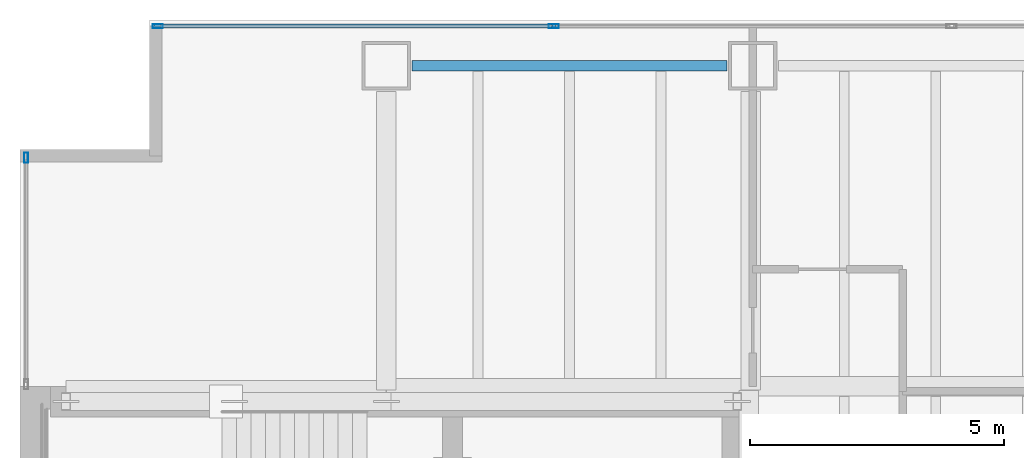
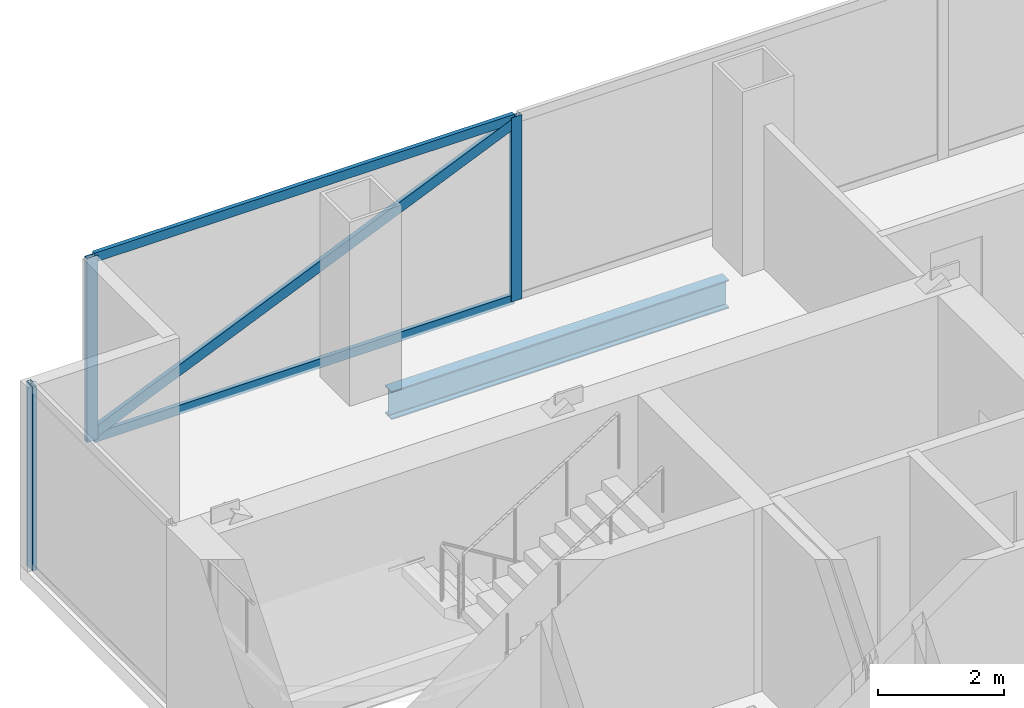
# One storey, part 16 of 24: 6 members, 1 beam, 2 elements without a shape of their own.
"""IFC4 building model written with IfcOpenShell, lengths in metres."""

import ifcopenshell
import ifcopenshell.guid

model = None  # the IFC model being written
_history = None  # IfcOwnerHistory: only IFC2X3 demands one
_inside = {}  # id of a spatial element -> (the spatial element, [elements in it])
_under = {}  # id of a project, library or spatial element -> (it, [spatial elements below it])
_declared = {}  # id of a project -> (the project, [libraries it declares])
_typed = {}  # id of a type object -> (the type object, [elements of that type])
_made_of = {}  # id of a material, layer set ... -> (it, [elements and type objects made of it])


def new_model(schema):
    """Start an empty IFC model of exactly this schema.

    Asked for "IFC4X3", IfcOpenShell would pick the latest addendum, in which some entities
    have other attributes; the version numbers below select the first issue.
    IFC2X3 requires an IfcOwnerHistory on every rooted entity: one is made here for all.
    """
    global model, _history
    if schema == "IFC4X3":
        model = ifcopenshell.file(schema_version=(4, 3, 0, 0))
    else:
        model = ifcopenshell.file(schema=schema)
    _inside.clear()
    _under.clear()
    _declared.clear()
    _typed.clear()
    _made_of.clear()
    _history = None
    if model.schema == "IFC2X3":
        org = make("IfcOrganization", Name="unknown")
        user = make(
            "IfcPersonAndOrganization",
            ThePerson=make("IfcPerson", FamilyName="unknown"),
            TheOrganization=org,
        )
        app = make(
            "IfcApplication",
            ApplicationDeveloper=org,
            Version="unknown",
            ApplicationFullName="unknown",
            ApplicationIdentifier="unknown",
        )
        _history = make(
            "IfcOwnerHistory",
            OwningUser=user,
            OwningApplication=app,
            ChangeAction="ADDED",
            CreationDate=0,
        )
    return model


def make(cls, **values):
    """One entity of the class cls with the attributes given. An attribute that is None is left unset."""
    return model.create_entity(
        cls, **{name: value for name, value in values.items() if value is not None}
    )


def rooted(cls, **values):
    """An entity with a GlobalId (a new one), such as an element, a storey or a relation."""
    return make(cls, GlobalId=ifcopenshell.guid.new(), OwnerHistory=_history, **values)


def si_unit(unit_type, name, prefix=None):
    """IfcSIUnit, for example si_unit("LENGTHUNIT", "METRE", prefix="MILLI")."""
    return make("IfcSIUnit", UnitType=unit_type, Prefix=prefix, Name=name)


def assignment(units):
    """IfcUnitAssignment: the units of a project."""
    return None if units is None else make("IfcUnitAssignment", Units=units)


def point(xyz):
    """IfcCartesianPoint."""
    return None if xyz is None else make("IfcCartesianPoint", Coordinates=xyz)


def direction(xyz):
    """IfcDirection."""
    return None if xyz is None else make("IfcDirection", DirectionRatios=xyz)


def frame(location, z_axis=None, x_axis=None):
    """IfcAxis2Placement3D, a coordinate frame: its origin and axes. An axis left out is left unset."""
    return make(
        "IfcAxis2Placement3D",
        Location=point(location),
        Axis=direction(z_axis),
        RefDirection=direction(x_axis),
    )


def frame_2d(location, x_axis=None):
    """IfcAxis2Placement2D, a coordinate frame in the plane: its origin and x axis."""
    return make(
        "IfcAxis2Placement2D", Location=point(location), RefDirection=direction(x_axis)
    )


def origin():
    """The frame at (0, 0, 0) with its axes left unset."""
    return frame((0.0, 0.0, 0.0))


def origin_2d():
    """The frame at (0, 0) in the plane with its x axis left unset."""
    return frame_2d((0.0, 0.0))


def place(relative_to, where):
    """IfcLocalPlacement: puts the frame where relative to a parent placement (None: the world)."""
    return make(
        "IfcLocalPlacement", PlacementRelTo=relative_to, RelativePlacement=where
    )


def context(
    kind, dimensions, precision=None, world=None, true_north=None, identifier=None
):
    """IfcGeometricRepresentationContext, for example the 3D "Model" context."""
    return make(
        "IfcGeometricRepresentationContext",
        ContextIdentifier=identifier,
        ContextType=kind,
        CoordinateSpaceDimension=dimensions,
        Precision=precision,
        WorldCoordinateSystem=world,
        TrueNorth=true_north,
    )


def subcontext(parent, identifier, kind, view, scale=None):
    """IfcGeometricRepresentationSubContext, for example "Body" below "Model"."""
    return make(
        "IfcGeometricRepresentationSubContext",
        ContextIdentifier=identifier,
        ContextType=kind,
        ParentContext=parent,
        TargetScale=scale,
        TargetView=view,
    )


def project(units=None, contexts=None):
    """IfcProject with its units and contexts."""
    return rooted(
        "IfcProject",
        Name="project",
        RepresentationContexts=contexts,
        UnitsInContext=assignment(units),
    )


def spatial(cls, under=None, at=None, **own):
    """A site, building, storey or space (cls), placed at a placement, below another one or the project."""
    s = rooted(cls, ObjectPlacement=at, **own)
    if under is not None:
        _under.setdefault(under.id(), (under, []))[1].append(s)
    return s


def profile(cls, at=None, kind="AREA", **sizes):
    """A parametric profile (cls). Its sizes go by their IFC names, for example OverallWidth=200.0."""
    return make(cls, ProfileType=kind, Position=at, **sizes)


def hollow_rectangle(**sizes):
    """IfcRectangleHollowProfileDef."""
    return profile("IfcRectangleHollowProfileDef", **sizes)


def i_section(**sizes):
    """IfcIShapeProfileDef."""
    return profile("IfcIShapeProfileDef", **sizes)


def extrude(swept, where, along, depth):
    """IfcExtrudedAreaSolid: the profile swept, set in the frame where, extruded along a direction by depth."""
    return make(
        "IfcExtrudedAreaSolid",
        SweptArea=swept,
        Position=where,
        ExtrudedDirection=direction(along),
        Depth=depth,
    )


def shape(context_of_items, identifier, shape_type, items):
    """IfcShapeRepresentation: the items that make up one representation, for example the "Body"."""
    return make(
        "IfcShapeRepresentation",
        ContextOfItems=context_of_items,
        RepresentationIdentifier=identifier,
        RepresentationType=shape_type,
        Items=items,
    )


def material(Name=None, Category=None):
    """IfcMaterial."""
    return make("IfcMaterial", Name=Name, Category=Category)


def material_profile(
    of_material, cross_section, Name=None, Category=None, Priority=None
):
    """IfcMaterialProfile: a cross section and its material."""
    return make(
        "IfcMaterialProfile",
        Name=Name,
        Material=of_material,
        Profile=cross_section,
        Priority=Priority,
        Category=Category,
    )


def profile_set(profiles, Name=None, composite=None):
    """IfcMaterialProfileSet."""
    return make(
        "IfcMaterialProfileSet",
        Name=Name,
        MaterialProfiles=profiles,
        CompositeProfile=composite,
    )


def made_of(thing, what):
    """Note that an element or type object is made of a material, layer set ...; save() writes the relation."""
    if what is not None:
        _made_of.setdefault(what.id(), (what, []))[1].append(thing)
    return thing


def type_object(cls, material=None, **own):
    """A type object (cls), such as IfcWallType, which elements share."""
    return made_of(rooted(cls, **own), material)


def element(
    cls,
    number,
    at=None,
    inside=None,
    cuts=None,
    type_object=None,
    material=None,
    context=None,
    identifier="Body",
    shape_type=None,
    held_by="IfcProductDefinitionShape",
    body=None,
    shapes=None,
    **own,
):
    """One element of the class cls, such as IfcWall. Its Tag is "e" and its number.

    at: its placement. inside: the storey or other place that contains it. cuts: it is an
    opening in that element (IfcRelVoidsElement). A single representation is given by context,
    identifier, shape_type and body (its items); several are given by shapes. held_by: the class
    of the entity that holds the representations. save() writes the other relations.
    """
    e = rooted(cls, Tag="e%d" % number, ObjectPlacement=at, **own)
    if body is not None:
        shapes = [shape(context, identifier, shape_type, body)]
    if shapes is not None:
        e.Representation = make(held_by, Representations=shapes)
    if inside is not None:
        _inside.setdefault(inside.id(), (inside, []))[1].append(e)
    if cuts is not None:
        rooted(
            "IfcRelVoidsElement", RelatingBuildingElement=cuts, RelatedOpeningElement=e
        )
    if type_object is not None:
        _typed.setdefault(type_object.id(), (type_object, []))[1].append(e)
    return made_of(e, material)


def aggregate(whole, parts):
    """IfcRelAggregates: a whole, such as a stair, and the parts it consists of."""
    return rooted("IfcRelAggregates", RelatingObject=whole, RelatedObjects=parts)


def save(model, path):
    """Write the relations noted so far, then the file.

    IfcRelAggregates (storeys below a building ...), IfcRelContainedInSpatialStructure (elements
    in a storey), IfcRelDefinesByType, IfcRelAssociatesMaterial and IfcRelDeclares: one each for
    every whole, place, type object, material and project.
    """
    for whole, parts in _under.values():
        aggregate(whole, parts)
    for where, things in _inside.values():
        rooted(
            "IfcRelContainedInSpatialStructure",
            RelatedElements=things,
            RelatingStructure=where,
        )
    for kind, things in _typed.values():
        rooted("IfcRelDefinesByType", RelatedObjects=things, RelatingType=kind)
    for what, things in _made_of.values():
        rooted("IfcRelAssociatesMaterial", RelatedObjects=things, RelatingMaterial=what)
    for by, libraries in _declared.values():
        rooted("IfcRelDeclares", RelatingContext=by, RelatedDefinitions=libraries)
    model.write(path)


model = new_model("IFC4")

# Units and contexts
model_context = context("Model", 3, precision=1e-05, world=origin(), true_north=direction((0.0, 1.0)))
body_context = subcontext(model_context, "Body", "Model", "MODEL_VIEW")
ifc_project = project(units=[si_unit("LENGTHUNIT", "METRE"), si_unit("AREAUNIT", "SQUARE_METRE"), si_unit("VOLUMEUNIT", "CUBIC_METRE"), si_unit("PLANEANGLEUNIT", "RADIAN"), si_unit("MASSUNIT", "GRAM", prefix="KILO")], contexts=[model_context])

# Site, building, storey
site_placement = place(None, origin())
site = spatial("IfcSite", under=ifc_project, at=site_placement, CompositionType="ELEMENT")
building_placement = place(site_placement, origin())
building = spatial("IfcBuilding", under=site, at=building_placement, Name="Cobrela Telecom Tower", CompositionType="ELEMENT")
storey_placement = place(building_placement, frame((0.0, 0.0, 77.35009765625)))
storey = spatial("IfcBuildingStorey", under=building, at=storey_placement, Name="L19", CompositionType="ELEMENT", Elevation=77.35009765625)

# Beam
ifc_material_1 = material(Name="Steel ASTM A992 Grade 50", Category="steel")
ifc_material_profile_1 = material_profile(ifc_material_1, i_section(OverallWidth=0.212890625, OverallDepth=0.549072265625, WebThickness=0.0146484375, FlangeThickness=0.023681640625, FilletRadius=0.013916015625, at=origin_2d()), Name="W21X93")
ifc_profile_set_1 = profile_set([ifc_material_profile_1], Name="Steel ASTM A992 Grade 50")
beam_type = type_object("IfcBeamType", Name="BM-SPAND-03", PredefinedType="SPANDREL", material=ifc_profile_set_1)
beam_placement = place(storey_placement, frame((7.705078125, 42.300048828125, -0.5546875), z_axis=(1.0, 0.0, 0.0), x_axis=(0.0, 1.0, 0.0)))
element("IfcBeam", 1, at=beam_placement, inside=storey, type_object=beam_type, Name="L19 Perimeter Spandrel X29", PredefinedType="SPANDREL", context=body_context, shape_type="SweptSolid", body=[
    extrude(i_section(OverallWidth=0.212890625, OverallDepth=0.549072265625, WebThickness=0.0146484375, FlangeThickness=0.023681640625, FilletRadius=0.013916015625, at=origin_2d()), origin(), (0.0, 0.0, 1.0), 6.18994140625),
])

# Curtain wall, member
ifc_material_2 = material(Name="Anodized Bronze Aluminium 6063-T6", Category="aluminium")
curtain_wall_type = type_object("IfcCurtainWallType", Name="CW-SYS-DATA", PredefinedType="USERDEFINED", material=ifc_material_2)
curtain_wall_1_placement = place(storey_placement, origin())
curtain_wall_1 = element("IfcCurtainWall", 2, at=curtain_wall_1_placement, inside=storey, type_object=curtain_wall_type, Name="L19 Unitised Bronze Curtain Wall 04", ObjectType="UNITISED CURTAIN WALL", PredefinedType="USERDEFINED")
ifc_material_profile_2 = material_profile(ifc_material_2, hollow_rectangle(XDim=0.080078125, YDim=0.199951171875, WallThickness=0.00390625, at=origin_2d()), Name="ALU 80x200x4")
ifc_profile_set_2 = profile_set([ifc_material_profile_2], Name="Anodized Bronze Aluminium 6063-T6")
member_type_1 = type_object("IfcMemberType", Name="CW-SYS-DATA-MUL", PredefinedType="MULLION", material=ifc_profile_set_2)
member_1_placement = place(storey_placement, frame((0.1201171875, 40.489990234375, 0.0), z_axis=(0.0, 0.0, 1.0), x_axis=(-1.0, 0.0, 0.0)))
member_1 = element("IfcMember", 3, at=member_1_placement, type_object=member_type_1, Name="CW-DATA mullion 2", PredefinedType="MULLION", context=body_context, shape_type="SweptSolid", body=[
    extrude(hollow_rectangle(XDim=0.080078125, YDim=0.199951171875, WallThickness=0.00390625, at=origin_2d()), origin(), (0.0, 0.0, 1.0), 3.56982421875),
])
aggregate(curtain_wall_1, [member_1])

# Curtain wall, members
curtain_wall_2_placement = place(storey_placement, origin())
curtain_wall_2 = element("IfcCurtainWall", 4, at=curtain_wall_2_placement, inside=storey, type_object=curtain_wall_type, Name="L19 Unitised Bronze Curtain Wall 07", ObjectType="UNITISED CURTAIN WALL", PredefinedType="USERDEFINED")
member_2_placement = place(storey_placement, frame((2.7099609375, 43.080078125, 0.0), z_axis=(0.0, 0.0, 1.0), x_axis=(0.0, 1.0, 0.0)))
member_2 = element("IfcMember", 5, at=member_2_placement, type_object=member_type_1, Name="CW-DATA mullion 1", PredefinedType="MULLION", context=body_context, shape_type="SweptSolid", body=[
    extrude(hollow_rectangle(XDim=0.080078125, YDim=0.199951171875, WallThickness=0.00390625, at=origin_2d()), origin(), (0.0, 0.0, 1.0), 3.56982421875),
])
member_3_placement = place(storey_placement, frame((10.489990234375, 43.080078125, 0.0), z_axis=(0.0, 0.0, 1.0), x_axis=(0.0, 1.0, 0.0)))
member_3 = element("IfcMember", 6, at=member_3_placement, type_object=member_type_1, Name="CW-DATA mullion 2", PredefinedType="MULLION", context=body_context, shape_type="SweptSolid", body=[
    extrude(hollow_rectangle(XDim=0.080078125, YDim=0.199951171875, WallThickness=0.00390625, at=origin_2d()), origin(), (0.0, 0.0, 1.0), 3.56982421875),
])
member_4_placement = place(storey_placement, frame((2.669921875, 43.080078125, 0.099853515625), z_axis=(0.918349779492, 0.0, 0.395769734198), x_axis=(0.0, 1.0, 0.0)))
member_4 = element("IfcMember", 7, at=member_4_placement, type_object=member_type_1, Name="L19 Faceted Curtain Wall Diagonal Glazing Mullion", PredefinedType="MULLION", context=body_context, shape_type="SweptSolid", body=[
    extrude(hollow_rectangle(XDim=0.080078125, YDim=0.199951171875, WallThickness=0.00390625, at=origin_2d()), origin(), (0.0, 0.0, 1.0), 8.515380859375),
])
ifc_material_profile_3 = material_profile(ifc_material_2, hollow_rectangle(XDim=0.074951171875, YDim=0.179931640625, WallThickness=0.00390625, at=origin_2d()), Name="ALU 75x180x4")
ifc_profile_set_3 = profile_set([ifc_material_profile_3], Name="Anodized Bronze Aluminium 6063-T6")
member_type_2 = type_object("IfcMemberType", Name="CW-SYS-DATA-TRN", PredefinedType="USERDEFINED", material=ifc_profile_set_3)
member_5_placement = place(storey_placement, frame((2.75, 43.080078125, 0.037353515625), z_axis=(1.0, 0.0, 0.0), x_axis=(0.0, 1.0, 0.0)))
member_5 = element("IfcMember", 8, at=member_5_placement, type_object=member_type_2, Name="CW-DATA transom 1.1", ObjectType="TRANSOM", PredefinedType="USERDEFINED", context=body_context, shape_type="SweptSolid", body=[
    extrude(hollow_rectangle(XDim=0.074951171875, YDim=0.179931640625, WallThickness=0.00390625, at=origin_2d()), origin(), (0.0, 0.0, 1.0), 7.699951171875),
])
member_6_placement = place(storey_placement, frame((2.75, 43.080078125, 3.532470703125), z_axis=(1.0, 0.0, 0.0), x_axis=(0.0, 1.0, 0.0)))
member_6 = element("IfcMember", 9, at=member_6_placement, type_object=member_type_2, Name="CW-DATA transom 1.2", ObjectType="TRANSOM", PredefinedType="USERDEFINED", context=body_context, shape_type="SweptSolid", body=[
    extrude(hollow_rectangle(XDim=0.074951171875, YDim=0.179931640625, WallThickness=0.00390625, at=origin_2d()), origin(), (0.0, 0.0, 1.0), 7.699951171875),
])
aggregate(curtain_wall_2, [member_2, member_3, member_5, member_6, member_4])

save(model, "model.ifc")
